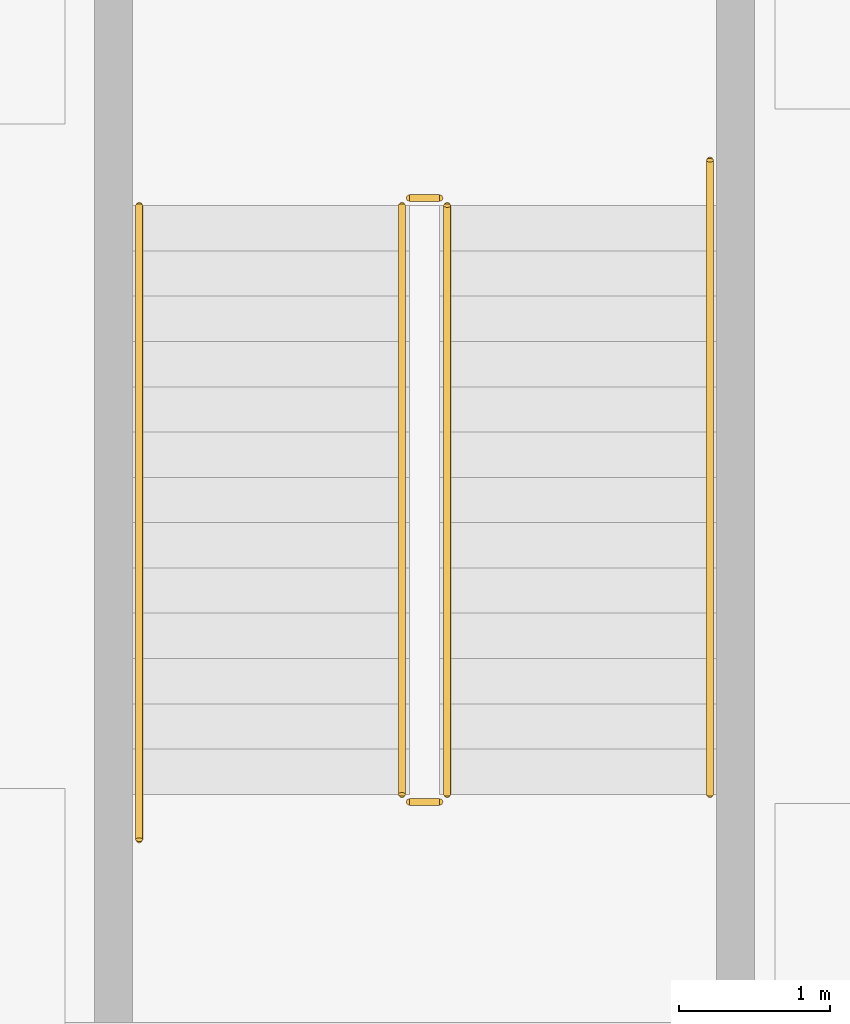
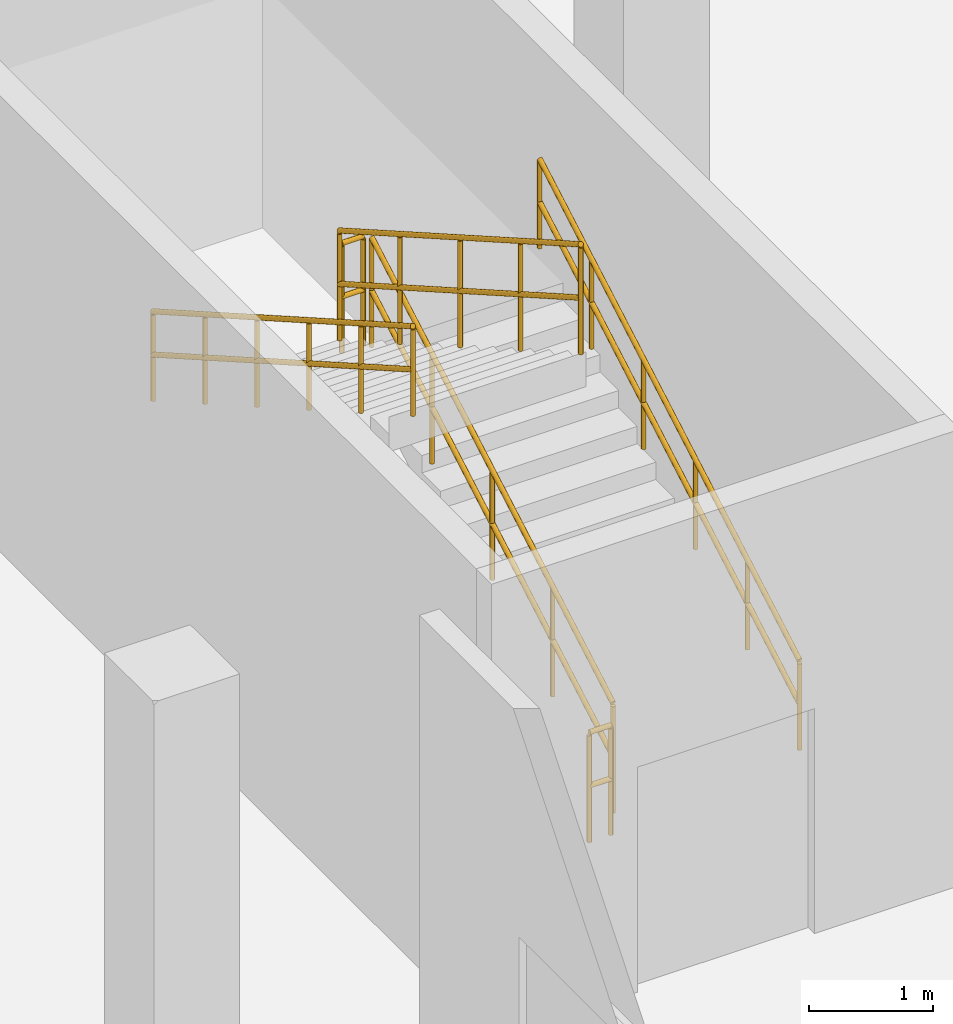
# One storey, part 38 of 40: 6 railings.
"""IFC4 building model written with IfcOpenShell, lengths in metres."""

from ifc_helpers import new_model, si_unit, direction, frame, origin, origin_2d, place, context, subcontext, project, spatial, circle, extrude, material, type_object, element, save


model = new_model("IFC4")

# Units and contexts
model_context = context("Model", 3, precision=1e-05, world=origin(), true_north=direction((0.0, 1.0)))
body_context = subcontext(model_context, "Body", "Model", "MODEL_VIEW")
ifc_project = project(units=[si_unit("LENGTHUNIT", "METRE"), si_unit("AREAUNIT", "SQUARE_METRE"), si_unit("VOLUMEUNIT", "CUBIC_METRE"), si_unit("PLANEANGLEUNIT", "RADIAN"), si_unit("MASSUNIT", "GRAM", prefix="KILO")], contexts=[model_context])

# Site, building, storey
site_placement = place(None, origin())
site = spatial("IfcSite", under=ifc_project, at=site_placement, CompositionType="ELEMENT")
building_placement = place(site_placement, origin())
building = spatial("IfcBuilding", under=site, at=building_placement, Name="Marnock Terrace Opera House", CompositionType="ELEMENT")
storey_placement = place(building_placement, frame((0.0, 0.0, -4.800048828125)))
storey = spatial("IfcBuildingStorey", under=building, at=storey_placement, Name="B1", CompositionType="ELEMENT", Elevation=-4.800048828125)

# Railings
ifc_material = material(Name="Architectural bronze balustrade")
railing_type_1 = type_object("IfcRailingType", Name="RL-GUARD-1100", PredefinedType="GUARDRAIL", material=ifc_material)
railing_1_placement = place(storey_placement, frame((141.1298828125, 25.760009765625, 0.17138671875)))
element("IfcRailing", 1, at=railing_1_placement, inside=storey, type_object=railing_type_1, Name="B1 ST-06 stair guard 1", PredefinedType="GUARDRAIL", context=body_context, shape_type="SweptSolid", body=[
    extrude(circle(Radius=0.02392578125, at=origin_2d()), frame((0.0, 0.0, 1.076171875), z_axis=(0.0, 0.868219727965, 0.496179910892), x_axis=(-1.0, 0.0, 0.0)), (0.0, 0.0, 1.0), 4.491943359375),
    extrude(circle(Radius=0.02392578125, at=origin_2d()), frame((0.0, 0.0, 0.550048828125), z_axis=(0.0, 0.868219727965, 0.496179910892), x_axis=(-1.0, 0.0, 0.0)), (0.0, 0.0, 1.0), 4.491943359375),
    extrude(circle(Radius=0.02099609375, at=origin_2d()), origin(), (0.0, 0.0, 1.0), 1.052001953125),
    extrude(circle(Radius=0.02099609375, at=origin_2d()), frame((0.0, 0.97509765625, 0.55712890625)), (0.0, 0.0, 1.0), 1.052001953125),
    extrude(circle(Radius=0.02099609375, at=origin_2d()), frame((0.0, 1.949951171875, 1.1142578125)), (0.0, 0.0, 1.0), 1.052001953125),
    extrude(circle(Radius=0.02099609375, at=origin_2d()), frame((0.0, 2.9248046875, 1.671630859375)), (0.0, 0.0, 1.0), 1.052001953125),
    extrude(circle(Radius=0.02099609375, at=origin_2d()), frame((0.0, 3.89990234375, 2.228759765625)), (0.0, 0.0, 1.0), 1.052001953125),
])
railing_2_placement = place(storey_placement, frame((141.080078125, 29.7099609375, 2.400146484375)))
element("IfcRailing", 2, at=railing_2_placement, inside=storey, type_object=railing_type_1, Name="B1 ST-06 stair guard 2", PredefinedType="GUARDRAIL", context=body_context, shape_type="SweptSolid", body=[
    extrude(circle(Radius=0.02392578125, at=origin_2d()), frame((0.0, 0.0, 1.076171875), z_axis=(-1.0, 0.0, 0.0), x_axis=(0.0, -1.0, 0.0)), (0.0, 0.0, 1.0), 0.2001953125),
    extrude(circle(Radius=0.02392578125, at=origin_2d()), frame((0.0, 0.0, 0.550048828125), z_axis=(-1.0, 0.0, 0.0), x_axis=(0.0, -1.0, 0.0)), (0.0, 0.0, 1.0), 0.2001953125),
    extrude(circle(Radius=0.02099609375, at=origin_2d()), origin(), (0.0, 0.0, 1.0), 1.052001953125),
    extrude(circle(Radius=0.02099609375, at=origin_2d()), frame((-0.2001953125, 0.0, 0.0)), (0.0, 0.0, 1.0), 1.052001953125),
])
railing_3_placement = place(storey_placement, frame((140.830078125, 29.659912109375, 2.571533203125)))
element("IfcRailing", 3, at=railing_3_placement, inside=storey, type_object=railing_type_1, Name="B1 ST-06 stair guard 3", PredefinedType="GUARDRAIL", context=body_context, shape_type="SweptSolid", body=[
    extrude(circle(Radius=0.02392578125, at=origin_2d()), frame((0.0, 0.0, 1.076171875), z_axis=(0.0, -0.868243142124, 0.496138938357), x_axis=(1.0, 0.0, 0.0)), (0.0, 0.0, 1.0), 4.49169921875),
    extrude(circle(Radius=0.02392578125, at=origin_2d()), frame((0.0, 0.0, 0.550048828125), z_axis=(0.0, -0.868243142124, 0.496138938357), x_axis=(1.0, 0.0, 0.0)), (0.0, 0.0, 1.0), 4.49169921875),
    extrude(circle(Radius=0.02099609375, at=origin_2d()), origin(), (0.0, 0.0, 1.0), 1.052001953125),
    extrude(circle(Radius=0.02099609375, at=origin_2d()), frame((0.0, -0.97509765625, 0.55712890625)), (0.0, 0.0, 1.0), 1.052001953125),
    extrude(circle(Radius=0.02099609375, at=origin_2d()), frame((0.0, -1.949951171875, 1.1142578125)), (0.0, 0.0, 1.0), 1.052001953125),
    extrude(circle(Radius=0.02099609375, at=origin_2d()), frame((0.0, -2.9248046875, 1.67138671875)), (0.0, 0.0, 1.0), 1.052001953125),
    extrude(circle(Radius=0.02099609375, at=origin_2d()), frame((0.0, -3.89990234375, 2.228515625)), (0.0, 0.0, 1.0), 1.052001953125),
])
railing_4_placement = place(storey_placement, frame((141.080078125, 25.7099609375, 0.0)))
element("IfcRailing", 4, at=railing_4_placement, inside=storey, type_object=railing_type_1, Name="B1 ST-06 stair guard 4", PredefinedType="GUARDRAIL", context=body_context, shape_type="SweptSolid", body=[
    extrude(circle(Radius=0.02392578125, at=origin_2d()), frame((0.0, 0.0, 1.076171875), z_axis=(-1.0, 0.0, 0.0), x_axis=(0.0, -1.0, 0.0)), (0.0, 0.0, 1.0), 0.2001953125),
    extrude(circle(Radius=0.02392578125, at=origin_2d()), frame((0.0, 0.0, 0.550048828125), z_axis=(-1.0, 0.0, 0.0), x_axis=(0.0, -1.0, 0.0)), (0.0, 0.0, 1.0), 0.2001953125),
    extrude(circle(Radius=0.02099609375, at=origin_2d()), origin(), (0.0, 0.0, 1.0), 1.052001953125),
    extrude(circle(Radius=0.02099609375, at=origin_2d()), frame((-0.2001953125, 0.0, 0.0)), (0.0, 0.0, 1.0), 1.052001953125),
])
railing_type_2 = type_object("IfcRailingType", Name="RL-HAND-900", PredefinedType="HANDRAIL", material=ifc_material)
railing_5_placement = place(storey_placement, frame((142.8701171875, 25.760009765625, 0.18359375)))
element("IfcRailing", 5, at=railing_5_placement, inside=storey, type_object=railing_type_2, Name="B1 ST-06 stair handrail 1", PredefinedType="HANDRAIL", context=body_context, shape_type="SweptSolid", body=[
    extrude(circle(Radius=0.02392578125, at=origin_2d()), frame((0.0, 0.0, 0.8759765625), z_axis=(0.0, 0.868249353848, 0.496128067682), x_axis=(-1.0, 0.0, 0.0)), (0.0, 0.0, 1.0), 4.837158203125),
    extrude(circle(Radius=0.02392578125, at=origin_2d()), frame((0.0, 0.0, 0.449951171875), z_axis=(0.0, 0.868249353848, 0.496128067682), x_axis=(-1.0, 0.0, 0.0)), (0.0, 0.0, 1.0), 4.837158203125),
    extrude(circle(Radius=0.02099609375, at=origin_2d()), origin(), (0.0, 0.0, 1.0), 0.851806640625),
    extrude(circle(Radius=0.02099609375, at=origin_2d()), frame((0.0, 0.840087890625, 0.47998046875)), (0.0, 0.0, 1.0), 0.851806640625),
    extrude(circle(Radius=0.02099609375, at=origin_2d()), frame((0.0, 1.679931640625, 0.9599609375)), (0.0, 0.0, 1.0), 0.851806640625),
    extrude(circle(Radius=0.02099609375, at=origin_2d()), frame((0.0, 2.52001953125, 1.43994140625)), (0.0, 0.0, 1.0), 0.851806640625),
    extrude(circle(Radius=0.02099609375, at=origin_2d()), frame((0.0, 3.35986328125, 1.919921875)), (0.0, 0.0, 1.0), 0.851806640625),
    extrude(circle(Radius=0.02099609375, at=origin_2d()), frame((0.0, 4.199951171875, 2.39990234375)), (0.0, 0.0, 1.0), 0.851806640625),
])
railing_6_placement = place(storey_placement, frame((139.090087890625, 29.659912109375, 2.58349609375)))
element("IfcRailing", 6, at=railing_6_placement, inside=storey, type_object=railing_type_2, Name="B1 ST-06 stair handrail 2", PredefinedType="HANDRAIL", context=body_context, shape_type="SweptSolid", body=[
    extrude(circle(Radius=0.02392578125, at=origin_2d()), frame((0.0, 0.0, 0.8759765625), z_axis=(0.0, -0.868249353848, 0.496128067682), x_axis=(1.0, 0.0, 0.0)), (0.0, 0.0, 1.0), 4.837158203125),
    extrude(circle(Radius=0.02392578125, at=origin_2d()), frame((0.0, 0.0, 0.449951171875), z_axis=(0.0, -0.868249353848, 0.496128067682), x_axis=(1.0, 0.0, 0.0)), (0.0, 0.0, 1.0), 4.837158203125),
    extrude(circle(Radius=0.02099609375, at=origin_2d()), origin(), (0.0, 0.0, 1.0), 0.851806640625),
    extrude(circle(Radius=0.02099609375, at=origin_2d()), frame((0.0, -0.840087890625, 0.47998046875)), (0.0, 0.0, 1.0), 0.851806640625),
    extrude(circle(Radius=0.02099609375, at=origin_2d()), frame((0.0, -1.679931640625, 0.9599609375)), (0.0, 0.0, 1.0), 0.851806640625),
    extrude(circle(Radius=0.02099609375, at=origin_2d()), frame((0.0, -2.52001953125, 1.43994140625)), (0.0, 0.0, 1.0), 0.851806640625),
    extrude(circle(Radius=0.02099609375, at=origin_2d()), frame((0.0, -3.35986328125, 1.919921875)), (0.0, 0.0, 1.0), 0.851806640625),
    extrude(circle(Radius=0.02099609375, at=origin_2d()), frame((0.0, -4.199951171875, 2.39990234375)), (0.0, 0.0, 1.0), 0.851806640625),
])

save(model, "model.ifc")
